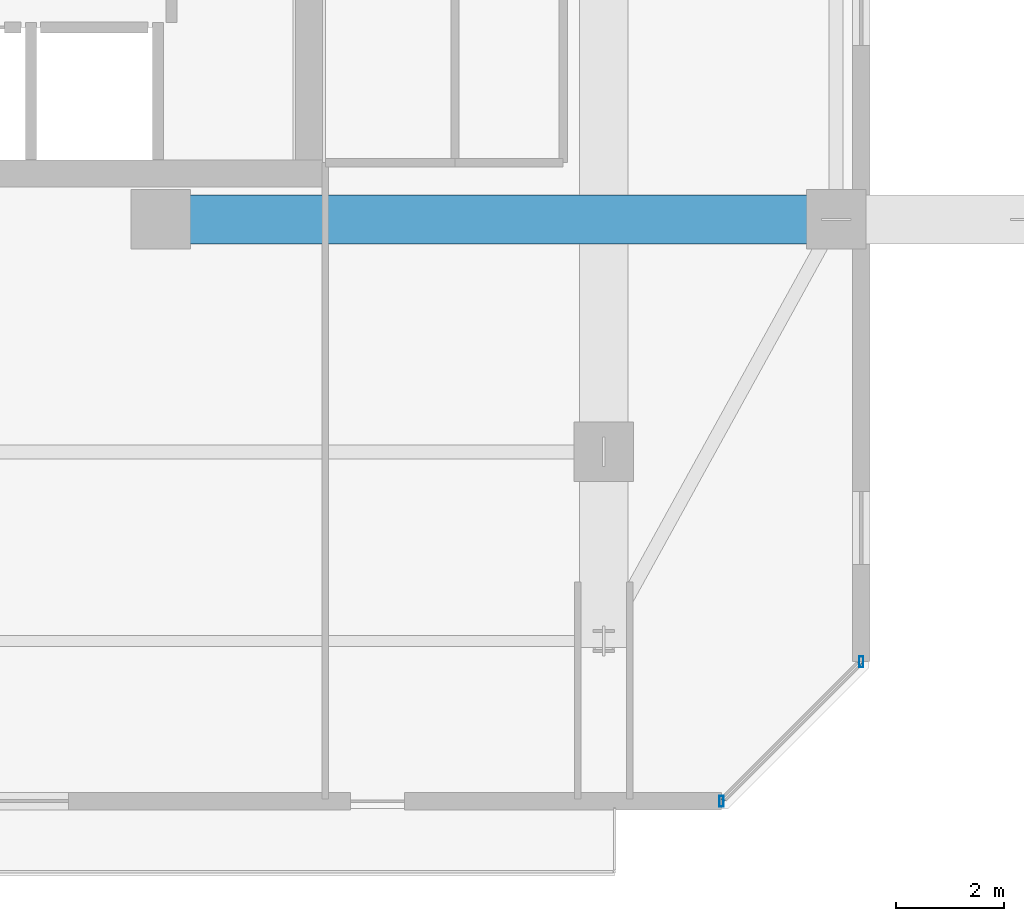
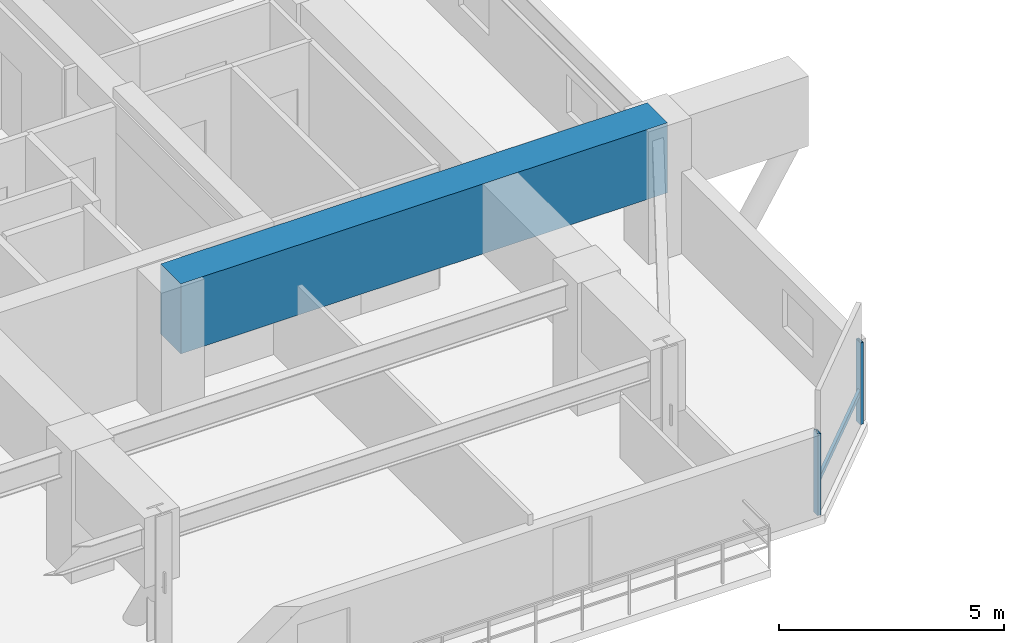
# One storey, part 5 of 35: 3 members, 1 beam, 1 element without a shape of its own.
"""IFC4 building model written with IfcOpenShell, lengths in metres."""

from ifc_helpers import new_model, si_unit, direction, frame, origin, origin_2d, place, context, subcontext, project, spatial, rectangle, hollow_rectangle, extrude, material, material_profile, profile_set, type_object, element, aggregate, save


model = new_model("IFC4")

# Units and contexts
model_context = context("Model", 3, precision=1e-05, world=origin(), true_north=direction((0.0, 1.0)))
body_context = subcontext(model_context, "Body", "Model", "MODEL_VIEW")
ifc_project = project(units=[si_unit("LENGTHUNIT", "METRE"), si_unit("AREAUNIT", "SQUARE_METRE"), si_unit("VOLUMEUNIT", "CUBIC_METRE"), si_unit("PLANEANGLEUNIT", "RADIAN"), si_unit("MASSUNIT", "GRAM", prefix="KILO")], contexts=[model_context])

# Site, building, storey
site_placement = place(None, origin())
site = spatial("IfcSite", under=ifc_project, at=site_placement, CompositionType="ELEMENT")
building_placement = place(site_placement, origin())
building = spatial("IfcBuilding", under=site, at=building_placement, Name="Thornwick Lancets Civic Towers", CompositionType="ELEMENT")
storey_placement = place(building_placement, frame((0.0, 0.0, 145.5)))
storey = spatial("IfcBuildingStorey", under=building, at=storey_placement, Name="L38", CompositionType="ELEMENT", Elevation=145.5)

# Beam
ifc_material_1 = material(Name="Concrete C60/75", Category="concrete")
ifc_material_profile_1 = material_profile(ifc_material_1, rectangle(XDim=0.89990234375, YDim=1.89990234375, at=origin_2d()), Name="RC 900x1900")
ifc_profile_set_1 = profile_set([ifc_material_profile_1], Name="Concrete C60/75")
beam_type = type_object("IfcBeamType", Name="BM_TR_RC1900", PredefinedType="BEAM", material=ifc_profile_set_1)
beam_placement = place(storey_placement, frame((30.300048828125, 14.0, 2.64990234375), z_axis=(1.0, 0.0, 0.0), x_axis=(0.0, 1.0, 0.0)))
element("IfcBeam", 1, at=beam_placement, inside=storey, type_object=beam_type, Name="TG-BACK-L39-A04", PredefinedType="BEAM", context=body_context, shape_type="SweptSolid", body=[
    extrude(rectangle(XDim=0.89990234375, YDim=1.89990234375, at=origin_2d()), origin(), (0.0, 0.0, 1.0), 12.5),
])

# Curtain wall, members
ifc_material_2 = material(Name="Mid-zone chamfered-corner unitised glass curtain wall", Category="glass")
curtain_wall_type = type_object("IfcCurtainWallType", Name="CW_SYS_04", PredefinedType="NOTDEFINED", material=ifc_material_2)
curtain_wall_placement = place(storey_placement, origin())
curtain_wall = element("IfcCurtainWall", 2, at=curtain_wall_placement, inside=storey, type_object=curtain_wall_type, Name="L38 Curtain Wall CW-L38-A-E1", PredefinedType="NOTDEFINED")
ifc_material_3 = material(Name="Thermally broken bronze aluminium S355", Category="steel")
ifc_material_profile_2 = material_profile(ifc_material_3, hollow_rectangle(XDim=0.080078125, YDim=0.199951171875, WallThickness=0.006103515625, at=origin_2d()), Name="RHS 200x80x6")
ifc_profile_set_2 = profile_set([ifc_material_profile_2], Name="Thermally broken bronze aluminium S355")
member_type_1 = type_object("IfcMemberType", Name="CW_MUL_200", PredefinedType="MULLION", material=ifc_profile_set_2)
member_1_placement = place(storey_placement, frame((40.681396484375, 3.2353515625, 0.0), z_axis=(0.0, 0.0, 1.0), x_axis=(1.0, 0.0, 0.0)))
member_1 = element("IfcMember", 3, at=member_1_placement, type_object=member_type_1, Name="CW-L38-A-E1 Mullion 0", PredefinedType="MULLION", context=body_context, shape_type="SweptSolid", body=[
    extrude(hollow_rectangle(XDim=0.080078125, YDim=0.199951171875, WallThickness=0.006103515625, at=origin_2d()), origin(), (0.0, 0.0, 1.0), 2.219970703125),
])
member_2_placement = place(storey_placement, frame((43.2646484375, 5.818603515625, 0.0), z_axis=(0.0, 0.0, 1.0), x_axis=(1.0, 0.0, 0.0)))
member_2 = element("IfcMember", 4, at=member_2_placement, type_object=member_type_1, Name="CW-L38-A-E1 Mullion 1", PredefinedType="MULLION", context=body_context, shape_type="SweptSolid", body=[
    extrude(hollow_rectangle(XDim=0.080078125, YDim=0.199951171875, WallThickness=0.006103515625, at=origin_2d()), origin(), (0.0, 0.0, 1.0), 2.219970703125),
])
ifc_material_profile_3 = material_profile(ifc_material_3, hollow_rectangle(XDim=0.074951171875, YDim=0.14990234375, WallThickness=0.0048828125, at=origin_2d()), Name="RHS 150x75x5")
ifc_profile_set_3 = profile_set([ifc_material_profile_3], Name="Thermally broken bronze aluminium S355")
member_type_2 = type_object("IfcMemberType", Name="CW_TRN_150", PredefinedType="USERDEFINED", material=ifc_profile_set_3)
member_3_placement = place(storey_placement, frame((40.695556640625, 3.24951171875, 0.85009765625), z_axis=(0.707106781187, 0.707106781187, 0.0), x_axis=(-0.707106781187, 0.707106781187, 0.0)))
member_3 = element("IfcMember", 5, at=member_3_placement, type_object=member_type_2, Name="CW-L38-A-E1 Transom 0", ObjectType="TRANSOM", PredefinedType="USERDEFINED", context=body_context, shape_type="SweptSolid", body=[
    extrude(hollow_rectangle(XDim=0.074951171875, YDim=0.14990234375, WallThickness=0.0048828125, at=origin_2d()), origin(), (0.0, 0.0, 1.0), 3.61328125),
])
aggregate(curtain_wall, [member_1, member_2, member_3])

save(model, "model.ifc")
